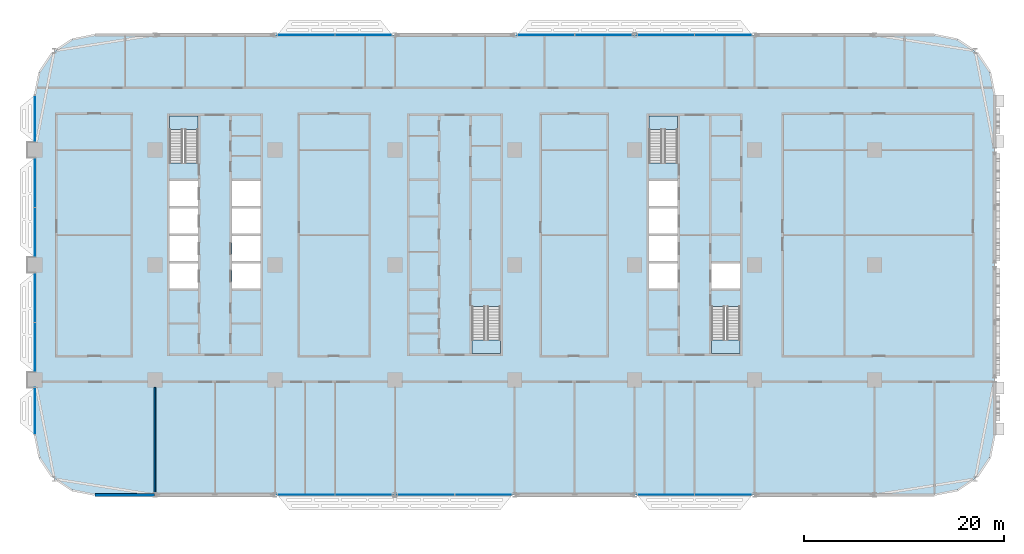
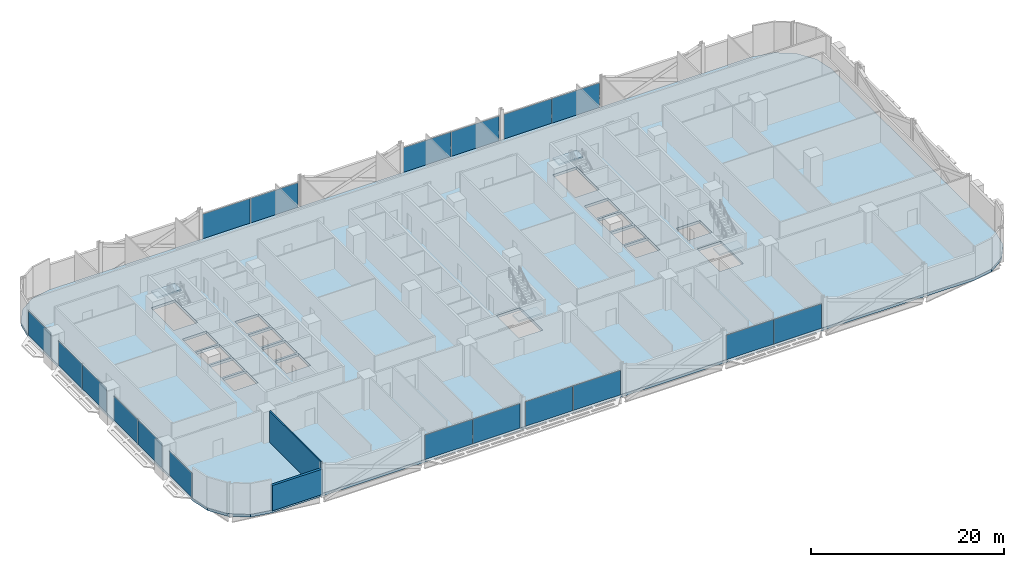
# One storey, part 11 of 30: 18 plates, 5 slabs, 2 walls, 14 elements without a shape of their own.
"""IFC4 building model written with IfcOpenShell, lengths in metres."""

from ifc_helpers import new_model, si_unit, direction, frame, frame_2d, origin, origin_2d, place, context, subcontext, project, spatial, polyline, rectangle, outline, extrude, material, layer, layer_set, type_object, element, aggregate, save


model = new_model("IFC4")

# Units and contexts
model_context = context("Model", 3, precision=1e-05, world=origin(), true_north=direction((0.0, 1.0)))
body_context = subcontext(model_context, "Body", "Model", "MODEL_VIEW")
ifc_project = project(units=[si_unit("LENGTHUNIT", "METRE"), si_unit("AREAUNIT", "SQUARE_METRE"), si_unit("VOLUMEUNIT", "CUBIC_METRE"), si_unit("PLANEANGLEUNIT", "RADIAN"), si_unit("MASSUNIT", "GRAM", prefix="KILO")], contexts=[model_context])

# Site, building, storey
site_placement = place(None, origin())
site = spatial("IfcSite", under=ifc_project, at=site_placement, CompositionType="ELEMENT")
building_placement = place(site_placement, origin())
building = spatial("IfcBuilding", under=site, at=building_placement, Name="Mahtab Terrace Research Tower", CompositionType="ELEMENT")
storey_placement = place(building_placement, frame((0.0, 0.0, 50.300048828125)))
storey = spatial("IfcBuildingStorey", under=building, at=storey_placement, Name="L11", CompositionType="ELEMENT", Elevation=50.300048828125)

# Stair, slab
ifc_material_1 = material(Name="Exit stair half-turn")
stair_type = type_object("IfcStairType", Name="Exit stair half-turn", PredefinedType="HALF_TURN_STAIR", material=ifc_material_1)
stair_1_placement = place(storey_placement, origin())
stair_1 = element("IfcStair", 1, at=stair_1_placement, inside=storey, type_object=stair_type, Name="L11 Protected exit stair ST1", PredefinedType="HALF_TURN_STAIR")
ifc_material_2 = material(Name="Concrete C40/50", Category="concrete")
ifc_layer_1 = layer(ifc_material_2, 0.199951171875)
ifc_layer_set_1 = layer_set([ifc_layer_1], Name="Exit stair landing 200")
slab_type_1 = type_object("IfcSlabType", Name="Exit stair landing 200", PredefinedType="LANDING", material=ifc_layer_set_1)
slab_1_placement = place(storey_placement, frame((0.0, 0.0, 1.949951171875)))
slab_1 = element("IfcSlab", 2, at=slab_1_placement, type_object=slab_type_1, Name="ST1 landing 1", PredefinedType="LANDING", context=body_context, shape_type="SweptSolid", body=[
    extrude(outline(polyline([(-25.699951171875, 13.534912109375), (-25.699951171875, 14.875), (-28.550048828125, 14.875), (-28.550048828125, 13.534912109375), (-25.699951171875, 13.534912109375)])), origin(), (0.0, 0.0, 1.0), 0.199951171875),
])
aggregate(stair_1, [slab_1])

stair_2_placement = place(storey_placement, origin())
stair_2 = element("IfcStair", 3, at=stair_2_placement, inside=storey, type_object=stair_type, Name="L11 Protected exit stair ST2", PredefinedType="HALF_TURN_STAIR")
slab_2_placement = place(storey_placement, frame((0.0, 0.0, 1.949951171875)))
slab_2 = element("IfcSlab", 4, at=slab_2_placement, type_object=slab_type_1, Name="ST2 landing 1", PredefinedType="LANDING", context=body_context, shape_type="SweptSolid", body=[
    extrude(outline(polyline([(1.699951171875, -7.534912109375), (1.699951171875, -8.875), (4.550048828125, -8.875), (4.550048828125, -7.534912109375), (1.699951171875, -7.534912109375)])), origin(), (0.0, 0.0, 1.0), 0.199951171875),
])
aggregate(stair_2, [slab_2])

stair_3_placement = place(storey_placement, origin())
stair_3 = element("IfcStair", 5, at=stair_3_placement, inside=storey, type_object=stair_type, Name="L11 Protected exit stair ST3", PredefinedType="HALF_TURN_STAIR")
slab_3_placement = place(storey_placement, frame((0.0, 0.0, 1.949951171875)))
slab_3 = element("IfcSlab", 6, at=slab_3_placement, type_object=slab_type_1, Name="ST3 landing 1", PredefinedType="LANDING", context=body_context, shape_type="SweptSolid", body=[
    extrude(outline(polyline([(22.300048828125, 13.534912109375), (22.300048828125, 14.875), (19.449951171875, 14.875), (19.449951171875, 13.534912109375), (22.300048828125, 13.534912109375)])), origin(), (0.0, 0.0, 1.0), 0.199951171875),
])
aggregate(stair_3, [slab_3])

stair_4_placement = place(storey_placement, origin())
stair_4 = element("IfcStair", 7, at=stair_4_placement, inside=storey, type_object=stair_type, Name="L11 Protected exit stair ST4", PredefinedType="HALF_TURN_STAIR")
slab_4_placement = place(storey_placement, frame((0.0, 0.0, 1.949951171875)))
slab_4 = element("IfcSlab", 8, at=slab_4_placement, type_object=slab_type_1, Name="ST4 landing 1", PredefinedType="LANDING", context=body_context, shape_type="SweptSolid", body=[
    extrude(outline(polyline([(25.699951171875, -7.534912109375), (25.699951171875, -8.875), (28.550048828125, -8.875), (28.550048828125, -7.534912109375), (25.699951171875, -7.534912109375)])), origin(), (0.0, 0.0, 1.0), 0.199951171875),
])
aggregate(stair_4, [slab_4])

# Curtain wall, plates
ifc_material_3 = material(Name="Laboratory ribbon curtain wall")
curtain_wall_type = type_object("IfcCurtainWallType", Name="Laboratory ribbon curtain wall", PredefinedType="NOTDEFINED", material=ifc_material_3)
curtain_wall_1_placement = place(storey_placement, origin())
curtain_wall_1 = element("IfcCurtainWall", 9, at=curtain_wall_1_placement, inside=storey, type_object=curtain_wall_type, Name="EN.L11.3.5", PredefinedType="NOTDEFINED")
ifc_material_4 = material(Name="Dark glazing", Category="glass")
ifc_layer_2 = layer(ifc_material_4, 0.031982421875)
ifc_layer_set_2 = layer_set([ifc_layer_2], Name="Laboratory ribbon curtain wall glazing panel")
plate_type = type_object("IfcPlateType", Name="Laboratory ribbon curtain wall glazing panel", PredefinedType="CURTAIN_PANEL", material=ifc_layer_set_2)
plate_1_placement = place(storey_placement, frame((26.86474609375, 23.0, 0.0), z_axis=(0.0, 0.0, 1.0), x_axis=(-1.0, 0.0, 0.0)))
plate_1 = element("IfcPlate", 10, at=plate_1_placement, type_object=plate_type, Name="CWL-2 panel 1", PredefinedType="CURTAIN_PANEL", context=body_context, shape_type="SweptSolid", body=[
    extrude(rectangle(XDim=5.66455078125, YDim=0.031982421875, at=origin_2d()), origin(), (0.0, 0.0, 1.0), 3.10302734375),
])
plate_2_placement = place(storey_placement, frame((21.13525390625, 23.0, 0.0), z_axis=(0.0, 0.0, 1.0), x_axis=(-1.0, 0.0, 0.0)))
plate_2 = element("IfcPlate", 11, at=plate_2_placement, type_object=plate_type, Name="CWL-2 panel 2", PredefinedType="CURTAIN_PANEL", context=body_context, shape_type="SweptSolid", body=[
    extrude(rectangle(XDim=5.66455078125, YDim=0.031982421875, at=origin_2d()), origin(), (0.0, 0.0, 1.0), 3.10302734375),
])
aggregate(curtain_wall_1, [plate_1, plate_2])

curtain_wall_2_placement = place(storey_placement, origin())
curtain_wall_2 = element("IfcCurtainWall", 12, at=curtain_wall_2_placement, inside=storey, type_object=curtain_wall_type, Name="EN.L11.3.6", PredefinedType="NOTDEFINED")
plate_3_placement = place(storey_placement, frame((14.86474609375, 23.0, 0.0), z_axis=(0.0, 0.0, 1.0), x_axis=(-1.0, 0.0, 0.0)))
plate_3 = element("IfcPlate", 13, at=plate_3_placement, type_object=plate_type, Name="CWL-2 panel 1", PredefinedType="CURTAIN_PANEL", context=body_context, shape_type="SweptSolid", body=[
    extrude(rectangle(XDim=5.66455078125, YDim=0.031982421875, at=origin_2d()), origin(), (0.0, 0.0, 1.0), 3.10302734375),
])
plate_4_placement = place(storey_placement, frame((9.13525390625, 23.0, 0.0), z_axis=(0.0, 0.0, 1.0), x_axis=(-1.0, 0.0, 0.0)))
plate_4 = element("IfcPlate", 14, at=plate_4_placement, type_object=plate_type, Name="CWL-2 panel 2", PredefinedType="CURTAIN_PANEL", context=body_context, shape_type="SweptSolid", body=[
    extrude(rectangle(XDim=5.66455078125, YDim=0.031982421875, at=origin_2d()), origin(), (0.0, 0.0, 1.0), 3.10302734375),
])
aggregate(curtain_wall_2, [plate_3, plate_4])

curtain_wall_3_placement = place(storey_placement, origin())
curtain_wall_3 = element("IfcCurtainWall", 15, at=curtain_wall_3_placement, inside=storey, type_object=curtain_wall_type, Name="EN.L11.3.8", PredefinedType="NOTDEFINED")
plate_5_placement = place(storey_placement, frame((-9.13525390625, 23.0, 0.0), z_axis=(0.0, 0.0, 1.0), x_axis=(-1.0, 0.0, 0.0)))
plate_5 = element("IfcPlate", 16, at=plate_5_placement, type_object=plate_type, Name="CWL-2 panel 1", PredefinedType="CURTAIN_PANEL", context=body_context, shape_type="SweptSolid", body=[
    extrude(rectangle(XDim=5.66455078125, YDim=0.031982421875, at=origin_2d()), origin(), (0.0, 0.0, 1.0), 3.10302734375),
])
plate_6_placement = place(storey_placement, frame((-14.86474609375, 23.0, 0.0), z_axis=(0.0, 0.0, 1.0), x_axis=(-1.0, 0.0, 0.0)))
plate_6 = element("IfcPlate", 17, at=plate_6_placement, type_object=plate_type, Name="CWL-2 panel 2", PredefinedType="CURTAIN_PANEL", context=body_context, shape_type="SweptSolid", body=[
    extrude(rectangle(XDim=5.66455078125, YDim=0.031982421875, at=origin_2d()), origin(), (0.0, 0.0, 1.0), 3.10302734375),
])
aggregate(curtain_wall_3, [plate_5, plate_6])

# Curtain wall, plate
curtain_wall_4_placement = place(storey_placement, origin())
curtain_wall_4 = element("IfcCurtainWall", 18, at=curtain_wall_4_placement, inside=storey, type_object=curtain_wall_type, Name="EN.L11.8.15", PredefinedType="NOTDEFINED")
plate_7_placement = place(storey_placement, frame((-42.0, 14.625, 0.0), z_axis=(0.0, 0.0, 1.0), x_axis=(0.0, -1.0, 0.0)))
plate_7 = element("IfcPlate", 19, at=plate_7_placement, type_object=plate_type, Name="CWL-2 panel 1", PredefinedType="CURTAIN_PANEL", context=body_context, shape_type="SweptSolid", body=[
    extrude(rectangle(XDim=4.6201171875, YDim=0.031982421875, at=origin_2d()), origin(), (0.0, 0.0, 1.0), 3.10302734375),
])
aggregate(curtain_wall_4, [plate_7])

# Curtain wall, plates
curtain_wall_5_placement = place(storey_placement, origin())
curtain_wall_5 = element("IfcCurtainWall", 20, at=curtain_wall_5_placement, inside=storey, type_object=curtain_wall_type, Name="EN.L11.8.16", PredefinedType="NOTDEFINED")
plate_8_placement = place(storey_placement, frame((-42.0, 8.233642578125, 0.0), z_axis=(0.0, 0.0, 1.0), x_axis=(0.0, -1.0, 0.0)))
plate_8 = element("IfcPlate", 21, at=plate_8_placement, type_object=plate_type, Name="CWL-2 panel 1", PredefinedType="CURTAIN_PANEL", context=body_context, shape_type="SweptSolid", body=[
    extrude(rectangle(XDim=4.902587890625, YDim=0.031982421875, at=origin_2d()), origin(), (0.0, 0.0, 1.0), 3.10302734375),
])
plate_9_placement = place(storey_placement, frame((-42.0, 3.266357421875, 0.0), z_axis=(0.0, 0.0, 1.0), x_axis=(0.0, -1.0, 0.0)))
plate_9 = element("IfcPlate", 22, at=plate_9_placement, type_object=plate_type, Name="CWL-2 panel 2", PredefinedType="CURTAIN_PANEL", context=body_context, shape_type="SweptSolid", body=[
    extrude(rectangle(XDim=4.902587890625, YDim=0.031982421875, at=origin_2d()), origin(), (0.0, 0.0, 1.0), 3.10302734375),
])
aggregate(curtain_wall_5, [plate_8, plate_9])

curtain_wall_6_placement = place(storey_placement, origin())
curtain_wall_6 = element("IfcCurtainWall", 23, at=curtain_wall_6_placement, inside=storey, type_object=curtain_wall_type, Name="EN.L11.8.17", PredefinedType="NOTDEFINED")
plate_10_placement = place(storey_placement, frame((-42.0, -3.266357421875, 0.0), z_axis=(0.0, 0.0, 1.0), x_axis=(0.0, -1.0, 0.0)))
plate_10 = element("IfcPlate", 24, at=plate_10_placement, type_object=plate_type, Name="CWL-2 panel 1", PredefinedType="CURTAIN_PANEL", context=body_context, shape_type="SweptSolid", body=[
    extrude(rectangle(XDim=4.902587890625, YDim=0.031982421875, at=origin_2d()), origin(), (0.0, 0.0, 1.0), 3.10302734375),
])
plate_11_placement = place(storey_placement, frame((-42.0, -8.233642578125, 0.0), z_axis=(0.0, 0.0, 1.0), x_axis=(0.0, -1.0, 0.0)))
plate_11 = element("IfcPlate", 25, at=plate_11_placement, type_object=plate_type, Name="CWL-2 panel 2", PredefinedType="CURTAIN_PANEL", context=body_context, shape_type="SweptSolid", body=[
    extrude(rectangle(XDim=4.902587890625, YDim=0.031982421875, at=origin_2d()), origin(), (0.0, 0.0, 1.0), 3.10302734375),
])
aggregate(curtain_wall_6, [plate_10, plate_11])

# Curtain wall, plate
curtain_wall_7_placement = place(storey_placement, origin())
curtain_wall_7 = element("IfcCurtainWall", 26, at=curtain_wall_7_placement, inside=storey, type_object=curtain_wall_type, Name="EN.L11.8.18", PredefinedType="NOTDEFINED")
plate_12_placement = place(storey_placement, frame((-42.0, -14.625, 0.0), z_axis=(0.0, 0.0, 1.0), x_axis=(0.0, -1.0, 0.0)))
plate_12 = element("IfcPlate", 27, at=plate_12_placement, type_object=plate_type, Name="CWL-2 panel 1", PredefinedType="CURTAIN_PANEL", context=body_context, shape_type="SweptSolid", body=[
    extrude(rectangle(XDim=4.6201171875, YDim=0.031982421875, at=origin_2d()), origin(), (0.0, 0.0, 1.0), 3.10302734375),
])
aggregate(curtain_wall_7, [plate_12])

# Curtain wall, plates
curtain_wall_8_placement = place(storey_placement, origin())
curtain_wall_8 = element("IfcCurtainWall", 28, at=curtain_wall_8_placement, inside=storey, type_object=curtain_wall_type, Name="EN.L11.13.25", PredefinedType="NOTDEFINED")
plate_13_placement = place(storey_placement, frame((-14.86474609375, -23.0, 0.0), z_axis=(0.0, 0.0, 1.0), x_axis=(1.0, 0.0, 0.0)))
plate_13 = element("IfcPlate", 29, at=plate_13_placement, type_object=plate_type, Name="CWL-2 panel 1", PredefinedType="CURTAIN_PANEL", context=body_context, shape_type="SweptSolid", body=[
    extrude(rectangle(XDim=5.66455078125, YDim=0.031982421875, at=origin_2d()), origin(), (0.0, 0.0, 1.0), 3.10302734375),
])
plate_14_placement = place(storey_placement, frame((-9.13525390625, -23.0, 0.0), z_axis=(0.0, 0.0, 1.0), x_axis=(1.0, 0.0, 0.0)))
plate_14 = element("IfcPlate", 30, at=plate_14_placement, type_object=plate_type, Name="CWL-2 panel 2", PredefinedType="CURTAIN_PANEL", context=body_context, shape_type="SweptSolid", body=[
    extrude(rectangle(XDim=5.66455078125, YDim=0.031982421875, at=origin_2d()), origin(), (0.0, 0.0, 1.0), 3.10302734375),
])
aggregate(curtain_wall_8, [plate_13, plate_14])

curtain_wall_9_placement = place(storey_placement, origin())
curtain_wall_9 = element("IfcCurtainWall", 31, at=curtain_wall_9_placement, inside=storey, type_object=curtain_wall_type, Name="EN.L11.13.26", PredefinedType="NOTDEFINED")
plate_15_placement = place(storey_placement, frame((-2.86474609375, -23.0, 0.0), z_axis=(0.0, 0.0, 1.0), x_axis=(1.0, 0.0, 0.0)))
plate_15 = element("IfcPlate", 32, at=plate_15_placement, type_object=plate_type, Name="CWL-2 panel 1", PredefinedType="CURTAIN_PANEL", context=body_context, shape_type="SweptSolid", body=[
    extrude(rectangle(XDim=5.66455078125, YDim=0.031982421875, at=origin_2d()), origin(), (0.0, 0.0, 1.0), 3.10302734375),
])
plate_16_placement = place(storey_placement, frame((2.86474609375, -23.0, 0.0), z_axis=(0.0, 0.0, 1.0), x_axis=(1.0, 0.0, 0.0)))
plate_16 = element("IfcPlate", 33, at=plate_16_placement, type_object=plate_type, Name="CWL-2 panel 2", PredefinedType="CURTAIN_PANEL", context=body_context, shape_type="SweptSolid", body=[
    extrude(rectangle(XDim=5.66455078125, YDim=0.031982421875, at=origin_2d()), origin(), (0.0, 0.0, 1.0), 3.10302734375),
])
aggregate(curtain_wall_9, [plate_15, plate_16])

curtain_wall_10_placement = place(storey_placement, origin())
curtain_wall_10 = element("IfcCurtainWall", 34, at=curtain_wall_10_placement, inside=storey, type_object=curtain_wall_type, Name="EN.L11.13.28", PredefinedType="NOTDEFINED")
plate_17_placement = place(storey_placement, frame((21.13525390625, -23.0, 0.0), z_axis=(0.0, 0.0, 1.0), x_axis=(1.0, 0.0, 0.0)))
plate_17 = element("IfcPlate", 35, at=plate_17_placement, type_object=plate_type, Name="CWL-2 panel 1", PredefinedType="CURTAIN_PANEL", context=body_context, shape_type="SweptSolid", body=[
    extrude(rectangle(XDim=5.66455078125, YDim=0.031982421875, at=origin_2d()), origin(), (0.0, 0.0, 1.0), 3.10302734375),
])
plate_18_placement = place(storey_placement, frame((26.86474609375, -23.0, 0.0), z_axis=(0.0, 0.0, 1.0), x_axis=(1.0, 0.0, 0.0)))
plate_18 = element("IfcPlate", 36, at=plate_18_placement, type_object=plate_type, Name="CWL-2 panel 2", PredefinedType="CURTAIN_PANEL", context=body_context, shape_type="SweptSolid", body=[
    extrude(rectangle(XDim=5.66455078125, YDim=0.031982421875, at=origin_2d()), origin(), (0.0, 0.0, 1.0), 3.10302734375),
])
aggregate(curtain_wall_10, [plate_17, plate_18])

# Slab
ifc_layer_3 = layer(ifc_material_2, 0.340087890625)
ifc_layer_set_3 = layer_set([ifc_layer_3], Name="PT flat slab 340")
slab_type_2 = type_object("IfcSlabType", Name="PT flat slab 340", PredefinedType="FLOOR", material=ifc_layer_set_3)
slab_5_placement = place(storey_placement, frame((0.0, 0.0, -0.340087890625)))
element("IfcSlab", 37, at=slab_5_placement, inside=storey, type_object=slab_type_2, Name="Floor slab L11", PredefinedType="FLOOR", context=body_context, shape_type="SweptSolid", body=[
    extrude(outline(polyline([(53.54296875, 19.2958984375), (52.242919921875, 21.242919921875), (50.2958984375, 22.54296875), (48.0, 23.0), (-36.0, 23.0), (-38.2958984375, 22.54296875), (-40.242919921875, 21.242919921875), (-41.54296875, 19.2958984375), (-42.0, 17.0), (-42.0, -17.0), (-41.54296875, -19.2958984375), (-40.242919921875, -21.242919921875), (-38.2958984375, -22.54296875), (-36.0, -23.0), (48.0, -23.0), (50.2958984375, -22.54296875), (52.242919921875, -21.242919921875), (53.54296875, -19.2958984375), (54.0, -17.0), (54.0, 17.0), (53.54296875, 19.2958984375)]), holes=[polyline([(-28.550048828125, -2.375), (-28.550048828125, 0.125), (-25.699951171875, 0.125), (-25.699951171875, -2.375), (-28.550048828125, -2.375)]), polyline([(-22.300048828125, -2.375), (-22.300048828125, 0.125), (-19.449951171875, 0.125), (-19.449951171875, -2.375), (-22.300048828125, -2.375)]), polyline([(-28.550048828125, 0.375), (-28.550048828125, 2.875), (-25.699951171875, 2.875), (-25.699951171875, 0.375), (-28.550048828125, 0.375)]), polyline([(-22.300048828125, 0.375), (-22.300048828125, 2.875), (-19.449951171875, 2.875), (-19.449951171875, 0.375), (-22.300048828125, 0.375)]), polyline([(-28.550048828125, 3.125), (-28.550048828125, 5.625), (-25.699951171875, 5.625), (-25.699951171875, 3.125), (-28.550048828125, 3.125)]), polyline([(-22.300048828125, 3.125), (-22.300048828125, 5.625), (-19.449951171875, 5.625), (-19.449951171875, 3.125), (-22.300048828125, 3.125)]), polyline([(-28.550048828125, 5.875), (-28.550048828125, 8.375), (-25.699951171875, 8.375), (-25.699951171875, 5.875), (-28.550048828125, 5.875)]), polyline([(-22.300048828125, 5.875), (-22.300048828125, 8.375), (-19.449951171875, 8.375), (-19.449951171875, 5.875), (-22.300048828125, 5.875)]), polyline([(-28.550048828125, 10.177001953125), (-28.550048828125, 14.875), (-25.699951171875, 14.875), (-25.699951171875, 10.177001953125), (-28.550048828125, 10.177001953125)]), polyline([(1.699951171875, -8.875), (1.699951171875, -4.177001953125), (4.550048828125, -4.177001953125), (4.550048828125, -8.875), (1.699951171875, -8.875)]), polyline([(25.699951171875, -8.875), (25.699951171875, -4.177001953125), (28.550048828125, -4.177001953125), (28.550048828125, -8.875), (25.699951171875, -8.875)]), polyline([(19.449951171875, -2.375), (19.449951171875, 0.125), (22.300048828125, 0.125), (22.300048828125, -2.375), (19.449951171875, -2.375)]), polyline([(25.699951171875, -2.375), (25.699951171875, 0.125), (28.550048828125, 0.125), (28.550048828125, -2.375), (25.699951171875, -2.375)]), polyline([(19.449951171875, 0.375), (19.449951171875, 2.875), (22.300048828125, 2.875), (22.300048828125, 0.375), (19.449951171875, 0.375)]), polyline([(19.449951171875, 3.125), (19.449951171875, 5.625), (22.300048828125, 5.625), (22.300048828125, 3.125), (19.449951171875, 3.125)]), polyline([(19.449951171875, 8.375), (22.300048828125, 8.375), (22.300048828125, 5.875), (19.449951171875, 5.875), (19.449951171875, 8.375)]), polyline([(19.449951171875, 14.875), (22.300048828125, 14.875), (22.300048828125, 10.177001953125), (19.449951171875, 10.177001953125), (19.449951171875, 14.875)])]), origin(), (0.0, 0.0, 1.0), 0.340087890625),
])

# Walls
ifc_material_5 = material(Name="Black aluminium cladding panel", Category="aluminium")
ifc_layer_4 = layer(ifc_material_5, 0.300048828125)
ifc_layer_set_4 = layer_set([ifc_layer_4], Name="Opaque facade wall 300")
wall_type_1 = type_object("IfcWallType", Name="Opaque facade wall 300", PredefinedType="NOTDEFINED", material=ifc_layer_set_4)
wall_1_placement = place(storey_placement, frame((-36.0, -23.0, 0.0), z_axis=(0.0, 0.0, 1.0), x_axis=(1.0, 0.0, 0.0)))
element("IfcWall", 38, at=wall_1_placement, inside=storey, type_object=wall_type_1, Name="Opaque facade wall L11 S23", PredefinedType="NOTDEFINED", context=body_context, shape_type="SweptSolid", body=[
    extrude(rectangle(XDim=5.97607421875, YDim=0.300048828125, at=frame_2d((2.988037109375, 0.0))), origin(), (0.0, 0.0, 1.0), 3.203125),
])
ifc_material_6 = material(Name="Gypsum board partition on steel studs", Category="steel")
ifc_layer_5 = layer(ifc_material_6, 0.14990234375)
ifc_layer_set_5 = layer_set([ifc_layer_5], Name="WALL PARTITION 150")
wall_type_2 = type_object("IfcWallType", Name="WALL PARTITION 150", PredefinedType="PARTITIONING", material=ifc_layer_set_5)
wall_2_placement = place(storey_placement, frame((-30.0, -22.85009765625, 0.0), z_axis=(0.0, 0.0, 1.0), x_axis=(0.0, 1.0, 0.0)))
element("IfcWall", 39, at=wall_2_placement, inside=storey, type_object=wall_type_2, Name="L11-W030", PredefinedType="PARTITIONING", context=body_context, shape_type="SweptSolid", body=[
    extrude(rectangle(XDim=10.60009765625, YDim=0.14990234375, at=frame_2d((5.300048828125, 0.0))), origin(), (0.0, 0.0, 1.0), 3.9599609375),
])

save(model, "model.ifc")
